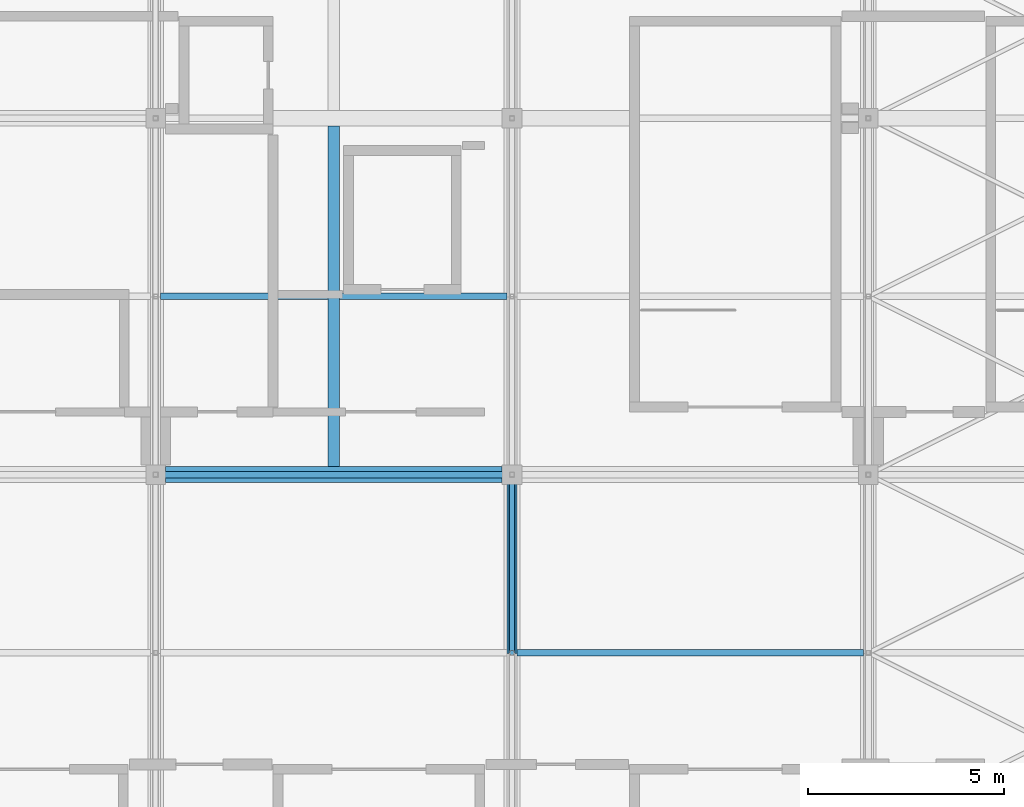
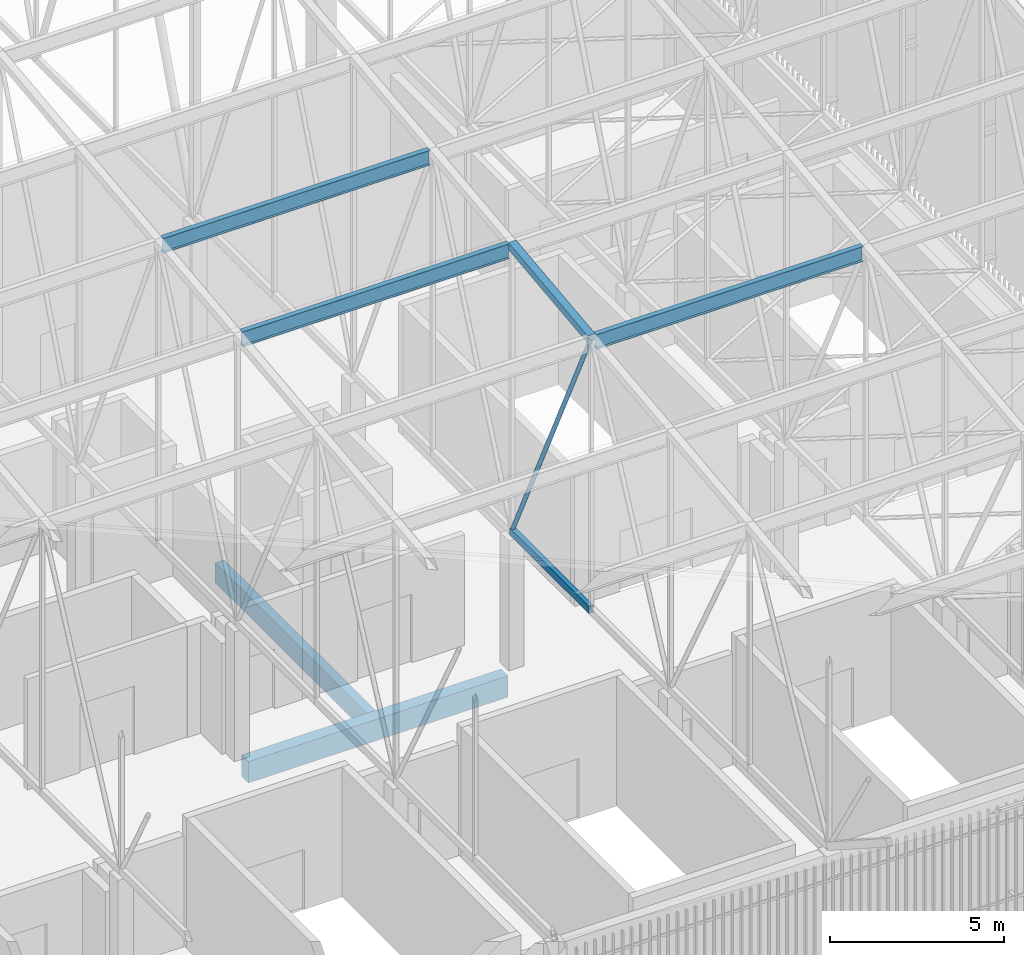
# One storey, part 338 of 500: 6 members, 2 beams.
"""IFC4 building model written with IfcOpenShell, lengths in metres."""

from ifc_helpers import new_model, si_unit, direction, frame, origin, origin_2d, place, context, subcontext, project, spatial, rectangle, hollow_rectangle, hollow_circle, i_section, extrude, material, material_profile, profile_set, type_object, element, save


model = new_model("IFC4")

# Units and contexts
model_context = context("Model", 3, precision=1e-05, world=origin(), true_north=direction((0.0, 1.0)))
body_context = subcontext(model_context, "Body", "Model", "MODEL_VIEW")
ifc_project = project(units=[si_unit("LENGTHUNIT", "METRE"), si_unit("AREAUNIT", "SQUARE_METRE"), si_unit("VOLUMEUNIT", "CUBIC_METRE"), si_unit("PLANEANGLEUNIT", "RADIAN"), si_unit("MASSUNIT", "GRAM", prefix="KILO")], contexts=[model_context])

# Site, building, storey
site_placement = place(None, origin())
site = spatial("IfcSite", under=ifc_project, at=site_placement, CompositionType="ELEMENT")
building_placement = place(site_placement, origin())
building = spatial("IfcBuilding", under=site, at=building_placement, Name="Shirokan Park Arena", CompositionType="ELEMENT")
storey_placement = place(building_placement, frame((0.0, 0.0, 29.1201171875)))
storey = spatial("IfcBuildingStorey", under=building, at=storey_placement, Name="L06", CompositionType="ELEMENT", Elevation=29.1201171875)

# Members
ifc_material_1 = material(Name="Steel ASTM A500 Grade C", Category="steel")
ifc_material_profile_1 = material_profile(ifc_material_1, hollow_rectangle(XDim=0.152099609375, YDim=0.25390625, WallThickness=0.009521484375, at=origin_2d()), Name="HSS254X152.4X9.5")
ifc_profile_set_1 = profile_set([ifc_material_profile_1], Name="Steel ASTM A500 Grade C")
member_type_1 = type_object("IfcMemberType", Name="Bottom chord HSS254X152.4X9.5", PredefinedType="CHORD", material=ifc_profile_set_1)
member_1_placement = place(storey_placement, frame((127.39990234375, 13.64990234375, 4.677001953125), z_axis=(0.0, 1.0, 0.0), x_axis=(-1.0, 0.0, 0.0)))
element("IfcMember", 1, at=member_1_placement, inside=storey, type_object=member_type_1, Name="Truss T15 bottom chord 6", PredefinedType="CHORD", context=body_context, shape_type="SweptSolid", body=[
    extrude(hollow_rectangle(XDim=0.152099609375, YDim=0.25390625, WallThickness=0.009521484375, at=origin_2d()), origin(), (0.0, 0.0, 1.0), 4.550048828125),
])
ifc_material_2 = material(Name="Steel ASTM A992", Category="steel")
ifc_material_profile_2 = material_profile(ifc_material_2, i_section(OverallWidth=0.166015625, OverallDepth=0.528076171875, WebThickness=0.009765625, FlangeThickness=0.013671875, at=origin_2d()), Name="W530X74")
ifc_profile_set_2 = profile_set([ifc_material_profile_2], Name="Steel ASTM A992")
member_type_2 = type_object("IfcMemberType", Name="Purlin W530X74", PredefinedType="PURLIN", material=ifc_profile_set_2)
for number, where, z_axis, x_axis, name in (
    (2, (127.527099609375, 13.64990234375, 14.0458984375), (1.0, 0.0, 0.0), (0.0, 1.0, 0.0), "Purlin 6 bay 15"),
    (3, (118.427001953125, 18.199951171875, 14.56591796875), (1.0, 0.0, 0.0), (0.0, 1.0, 0.0), "Purlin 7 bay 14"),
    (4, (118.427001953125, 22.75, 15.0859375), (1.0, 0.0, 0.0), (0.0, 1.0, 0.0), "Purlin 8 bay 14"),
):
    element("IfcMember", number, at=place(storey_placement, frame(where, z_axis=z_axis, x_axis=x_axis)), inside=storey, type_object=member_type_2, Name=name, PredefinedType="PURLIN", context=body_context, shape_type="SweptSolid", body=[
        extrude(i_section(OverallWidth=0.166015625, OverallDepth=0.528076171875, WebThickness=0.009765625, FlangeThickness=0.013671875, at=origin_2d()), origin(), (0.0, 0.0, 1.0), 8.845947265625),
    ])

# Beams
ifc_material_3 = material(Name="Concrete C35", Category="concrete")
ifc_material_profile_3 = material_profile(ifc_material_3, rectangle(XDim=0.39990234375, YDim=0.75, at=origin_2d()), Name="400x750")
ifc_profile_set_3 = profile_set([ifc_material_profile_3], Name="Concrete C35")
beam_type_1 = type_object("IfcBeamType", Name="RC girder 400x750", PredefinedType="BEAM", material=ifc_profile_set_3)
beam_1_placement = place(storey_placement, frame((118.550048828125, 18.199951171875, -0.5751953125), z_axis=(1.0, 0.0, 0.0), x_axis=(0.0, 1.0, 0.0)))
element("IfcBeam", 5, at=beam_1_placement, inside=storey, type_object=beam_type_1, Name="Girder 14C-15C L06", PredefinedType="BEAM", context=body_context, shape_type="SweptSolid", body=[
    extrude(rectangle(XDim=0.39990234375, YDim=0.75, at=origin_2d()), origin(), (0.0, 0.0, 1.0), 8.599853515625),
])
ifc_material_profile_4 = material_profile(ifc_material_3, rectangle(XDim=0.300048828125, YDim=0.699951171875, at=origin_2d()), Name="300x700")
ifc_profile_set_4 = profile_set([ifc_material_profile_4], Name="Concrete C35")
beam_type_2 = type_object("IfcBeamType", Name="RC joist 300x700", PredefinedType="JOIST", material=ifc_profile_set_4)
beam_2_placement = place(storey_placement, frame((122.85009765625, 18.39990234375, -0.550048828125), z_axis=(0.0, 1.0, 0.0), x_axis=(-1.0, 0.0, 0.0)))
element("IfcBeam", 6, at=beam_2_placement, inside=storey, type_object=beam_type_2, Name="Joist 14C L06", PredefinedType="JOIST", context=body_context, shape_type="SweptSolid", body=[
    extrude(rectangle(XDim=0.300048828125, YDim=0.699951171875, at=origin_2d()), origin(), (0.0, 0.0, 1.0), 8.7001953125),
])

# Members
ifc_material_profile_5 = material_profile(ifc_material_1, hollow_rectangle(XDim=0.25390625, YDim=0.25390625, WallThickness=0.009521484375, at=origin_2d()), Name="HSS254X254X9.5")
ifc_profile_set_5 = profile_set([ifc_material_profile_5], Name="Steel ASTM A500 Grade C")
member_type_3 = type_object("IfcMemberType", Name="Top chord HSS254X254X9.5", PredefinedType="CHORD", material=ifc_profile_set_5)
member_2_placement = place(storey_placement, frame((127.39990234375, 13.64990234375, 14.182861328125), z_axis=(0.0, 0.993532328996, 0.113549598152), x_axis=(-1.0, 0.0, 0.0)))
element("IfcMember", 7, at=member_2_placement, inside=storey, type_object=member_type_3, Name="Truss T15 top chord 6", PredefinedType="CHORD", context=body_context, shape_type="SweptSolid", body=[
    extrude(hollow_rectangle(XDim=0.25390625, YDim=0.25390625, WallThickness=0.009521484375, at=origin_2d()), origin(), (0.0, 0.0, 1.0), 4.57958984375),
])
ifc_material_profile_6 = material_profile(ifc_material_1, hollow_circle(Radius=0.070556640625, WallThickness=0.006591796875, at=origin_2d()), Name="HSS141.3X6.6")
ifc_profile_set_6 = profile_set([ifc_material_profile_6], Name="Steel ASTM A500 Grade C")
member_type_4 = type_object("IfcMemberType", Name="Truss diagonal HSS141.3X6.6", PredefinedType="BRACE", material=ifc_profile_set_6)
member_3_placement = place(storey_placement, frame((127.39990234375, 13.64990234375, 14.182861328125), z_axis=(0.0, 0.431746476626, -0.901994999942), x_axis=(-1.0, 0.0, 0.0)))
element("IfcMember", 8, at=member_3_placement, inside=storey, type_object=member_type_4, Name="Truss T15 diagonal 6", PredefinedType="BRACE", context=body_context, shape_type="SweptSolid", body=[
    extrude(hollow_circle(Radius=0.070556640625, WallThickness=0.006591796875, at=origin_2d()), origin(), (0.0, 0.0, 1.0), 10.538818359375),
])

save(model, "model.ifc")
